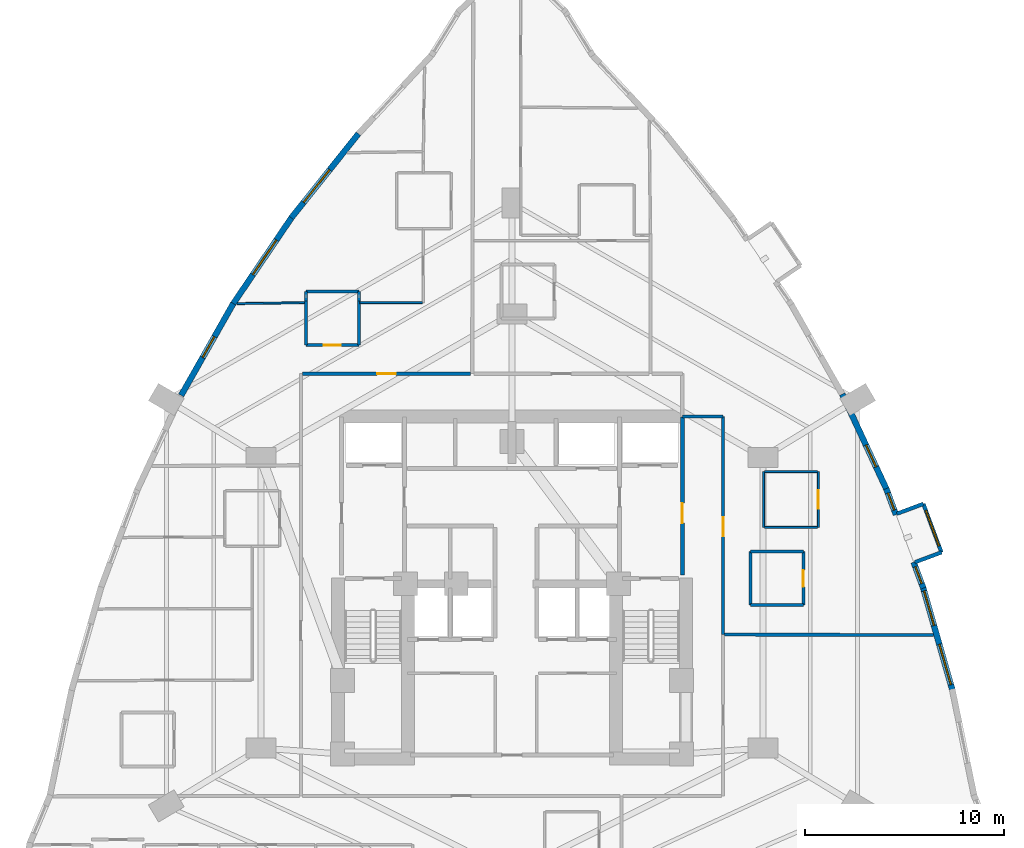
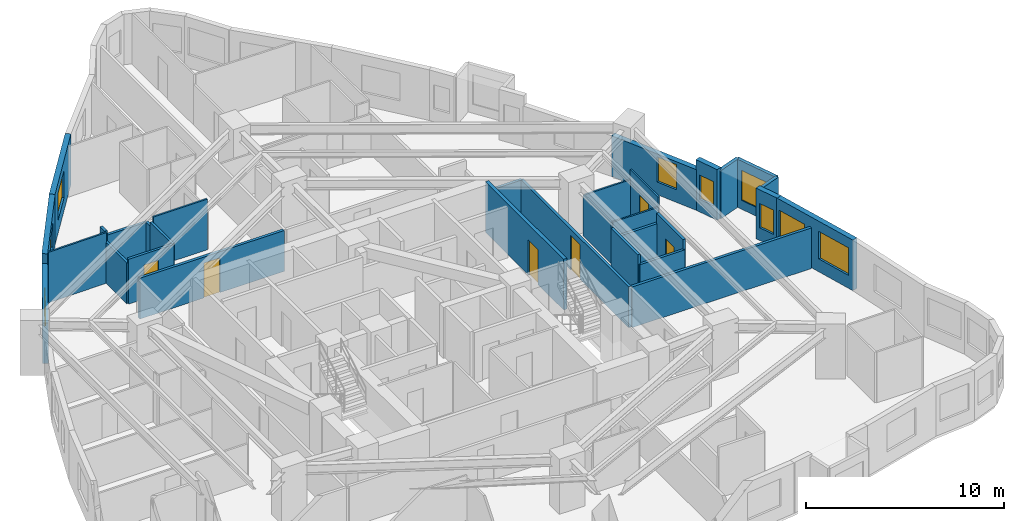
# One storey, part 9 of 12: 31 walls, 9 windows, 6 doors, 15 openings.
"""IFC4 building model written with IfcOpenShell, lengths in metres."""

from ifc_helpers import new_model, si_unit, direction, frame, frame_2d, origin, place, context, subcontext, project, spatial, rectangle, extrude, material, layer, layer_set, type_object, element, fill, save


model = new_model("IFC4")

# Units and contexts
model_context = context("Model", 3, precision=1e-05, world=origin(), true_north=direction((0.0, 1.0)))
body_context = subcontext(model_context, "Body", "Model", "MODEL_VIEW")
ifc_project = project(units=[si_unit("LENGTHUNIT", "METRE"), si_unit("AREAUNIT", "SQUARE_METRE"), si_unit("VOLUMEUNIT", "CUBIC_METRE"), si_unit("PLANEANGLEUNIT", "RADIAN"), si_unit("MASSUNIT", "GRAM", prefix="KILO")], contexts=[model_context])

# Site, building, storey
site_placement = place(None, origin())
site = spatial("IfcSite", under=ifc_project, at=site_placement, CompositionType="ELEMENT")
building_placement = place(site_placement, origin())
building = spatial("IfcBuilding", under=site, at=building_placement, Name="Miruveldt Soraemaru", CompositionType="ELEMENT")
storey_placement = place(building_placement, frame((0.0, 0.0, 56.39990234375)))
storey = spatial("IfcBuildingStorey", under=building, at=storey_placement, Name="L15", CompositionType="ELEMENT", Elevation=56.39990234375)

# Walls
ifc_material_1 = material(Name="White powder-coated aluminium EN AW-6060 T6", Category="aluminium")
ifc_layer_1 = layer(ifc_material_1, 0.18994140625, Name="White powder-coated aluminium EN AW-6060 T6", Category="aluminium")
ifc_layer_set_1 = layer_set([ifc_layer_1], Name="White powder-coated aluminium EN AW-6060 T6")
wall_type_1 = type_object("IfcWallType", Name="WALL-BAY-ALU190", PredefinedType="SOLIDWALL", material=ifc_layer_set_1)
for number, where, z_axis, x_axis, name in (
    (1, (64.22705078125, 45.13037109375, 0.0), (0.0, 0.0, 1.0), (0.937129361406, 0.348982177182, 0.0), "L15 Bay Window Side Cheek 4L"),
    (2, (64.655029296875, 48.064208984375, 0.0), (0.0, 0.0, 1.0), (-0.937073323404, -0.34913262031, 0.0), "L15 Bay Window Side Cheek 4R"),
):
    element("IfcWall", number, at=place(storey_placement, frame(where, z_axis=z_axis, x_axis=x_axis)), inside=storey, type_object=wall_type_1, Name=name, PredefinedType="SOLIDWALL", context=body_context, shape_type="SweptSolid", body=[
        extrude(rectangle(XDim=1.425048828125, YDim=0.18994140625, at=frame_2d((0.71240234375, 0.0))), origin(), (0.0, 0.0, 1.0), 2.97509765625),
    ])

# Wall, opening, window
wall_1_placement = place(storey_placement, frame((65.5625, 45.627685546875, 0.0), z_axis=(0.0, 0.0, 1.0), x_axis=(-0.349023333144, 0.937114034107, 0.0)))
wall_1 = element("IfcWall", 3, at=wall_1_placement, inside=storey, type_object=wall_type_1, Name="L15 Bay Window Front Frame 4", PredefinedType="SOLIDWALL", context=body_context, shape_type="SweptSolid", body=[
    extrude(rectangle(XDim=2.60009765625, YDim=0.18994140625, at=frame_2d((1.300048828125, 0.0))), origin(), (0.0, 0.0, 1.0), 2.97509765625),
])
opening_1_placement = place(wall_1_placement, frame((0.35009765625, 0.0, 0.550048828125)))
opening_1 = element("IfcOpeningElement", 4, at=opening_1_placement, cuts=wall_1, Name="Opening WN-6", PredefinedType="OPENING", context=body_context, shape_type="SweptSolid", body=[
    extrude(rectangle(XDim=1.89990234375, YDim=1.85009765625, at=frame_2d((0.949951171875, 0.925048828125))), frame((0.0, 0.10498046875, 0.0), z_axis=(0.0, -1.0, 0.0), x_axis=(1.0, 0.0, 0.0)), (0.0, 0.0, 1.0), 0.2099609375),
])
ifc_material_2 = material(Name="Triple low-e insulated glazing", Category="glass")
window_type_1 = type_object("IfcWindowType", Name="WIN-BAYW-1900x1850", PartitioningType="SINGLE_PANEL", PredefinedType="WINDOW", material=ifc_material_2)
window_1_placement = place(opening_1_placement, origin())
window_1 = element("IfcWindow", 5, at=window_1_placement, inside=storey, type_object=window_type_1, Name="L15 Projecting Bay Window 4", OverallHeight=1.85009765625, OverallWidth=1.89990234375, PartitioningType="SINGLE_PANEL", PredefinedType="WINDOW", context=body_context, shape_type="SweptSolid", body=[
    extrude(rectangle(XDim=1.89990234375, YDim=1.85009765625, at=frame_2d((0.949951171875, 0.925048828125))), frame((0.0, 0.030029296875, 0.0), z_axis=(0.0, -1.0, 0.0), x_axis=(1.0, 0.0, 0.0)), (0.0, 0.0, 1.0), 0.06005859375),
])
fill(opening_1, window_1)

ifc_material_3 = material(Name="Precast concrete C45/55 (45 MPa)", Category="concrete")
ifc_layer_2 = layer(ifc_material_3, 0.300048828125, Name="Precast concrete C45/55 (45 MPa)", Category="concrete")
ifc_layer_set_2 = layer_set([ifc_layer_2], Name="Precast concrete C45/55 (45 MPa)")
wall_type_2 = type_object("IfcWallType", Name="WALL-EXT-PC300", PredefinedType="SOLIDWALL", material=ifc_layer_set_2)
wall_2_placement = place(storey_placement, frame((36.288330078125, 66.646240234375, 0.0), z_axis=(0.0, 0.0, 1.0), x_axis=(-0.623603139171, -0.781741085537, 0.0)))
wall_2 = element("IfcWall", 6, at=wall_2_placement, inside=storey, type_object=wall_type_2, Name="L15 Precast Concrete Facade Wall 8", PredefinedType="SOLIDWALL", context=body_context, shape_type="SweptSolid", body=[
    extrude(rectangle(XDim=5.40185546875, YDim=0.300048828125, at=frame_2d((2.700927734375, 0.0))), origin(), (0.0, 0.0, 1.0), 3.125),
])
opening_2_placement = place(wall_2_placement, frame((2.31396484375, 0.0, 0.800048828125)))
opening_2 = element("IfcOpeningElement", 7, at=opening_2_placement, cuts=wall_2, Name="Opening WN-1", PredefinedType="OPENING", context=body_context, shape_type="SweptSolid", body=[
    extrude(rectangle(XDim=2.10009765625, YDim=1.699951171875, at=frame_2d((1.050048828125, 0.85009765625))), frame((0.0, 0.16015625, 0.0), z_axis=(0.0, -1.0, 0.0), x_axis=(1.0, 0.0, 0.0)), (0.0, 0.0, 1.0), 0.320068359375),
])
window_type_2 = type_object("IfcWindowType", Name="WIN-PUNCH-2100x1700", PartitioningType="SINGLE_PANEL", PredefinedType="WINDOW", material=ifc_material_2)
window_2_placement = place(opening_2_placement, origin())
window_2 = element("IfcWindow", 8, at=window_2_placement, inside=storey, type_object=window_type_2, Name="L15 Punched Triple-Glazed Window 08.1", OverallHeight=1.699951171875, OverallWidth=2.10009765625, PartitioningType="SINGLE_PANEL", PredefinedType="WINDOW", context=body_context, shape_type="SweptSolid", body=[
    extrude(rectangle(XDim=2.10009765625, YDim=1.699951171875, at=frame_2d((1.050048828125, 0.85009765625))), frame((0.0, 0.030029296875, 0.0), z_axis=(0.0, -1.0, 0.0), x_axis=(1.0, 0.0, 0.0)), (0.0, 0.0, 1.0), 0.06005859375),
])
fill(opening_2, window_2)

wall_3_placement = place(storey_placement, frame((32.961181640625, 62.479736328125, 0.0), z_axis=(0.0, 0.0, 1.0), x_axis=(-0.56081981717, -0.827937879717, 0.0)))
wall_3 = element("IfcWall", 9, at=wall_3_placement, inside=storey, type_object=wall_type_2, Name="L15 Precast Concrete Facade Wall 9", PredefinedType="SOLIDWALL", context=body_context, shape_type="SweptSolid", body=[
    extrude(rectangle(XDim=5.3359375, YDim=0.300048828125, at=frame_2d((2.66796875, 0.0))), origin(), (0.0, 0.0, 1.0), 3.125),
])
opening_3_placement = place(wall_3_placement, frame((1.408935546875, 0.0, 0.800048828125)))
opening_3 = element("IfcOpeningElement", 10, at=opening_3_placement, cuts=wall_3, Name="Opening WN-1", PredefinedType="OPENING", context=body_context, shape_type="SweptSolid", body=[
    extrude(rectangle(XDim=2.10009765625, YDim=1.699951171875, at=frame_2d((1.050048828125, 0.85009765625))), frame((0.0, 0.16015625, 0.0), z_axis=(0.0, -1.0, 0.0), x_axis=(1.0, 0.0, 0.0)), (0.0, 0.0, 1.0), 0.320068359375),
])
window_3_placement = place(opening_3_placement, origin())
window_3 = element("IfcWindow", 11, at=window_3_placement, inside=storey, type_object=window_type_2, Name="L15 Punched Triple-Glazed Window 09.1", OverallHeight=1.699951171875, OverallWidth=2.10009765625, PartitioningType="SINGLE_PANEL", PredefinedType="WINDOW", context=body_context, shape_type="SweptSolid", body=[
    extrude(rectangle(XDim=2.10009765625, YDim=1.699951171875, at=frame_2d((1.050048828125, 0.85009765625))), frame((0.0, 0.030029296875, 0.0), z_axis=(0.0, -1.0, 0.0), x_axis=(1.0, 0.0, 0.0)), (0.0, 0.0, 1.0), 0.06005859375),
])
fill(opening_3, window_3)

wall_4_placement = place(storey_placement, frame((30.005615234375, 58.121337890625, 0.0), z_axis=(0.0, 0.0, 1.0), x_axis=(-0.493399379413, -0.869802881344, 0.0)))
wall_4 = element("IfcWall", 12, at=wall_4_placement, inside=storey, type_object=wall_type_2, Name="L15 Precast Concrete Facade Wall 10", PredefinedType="SOLIDWALL", context=body_context, shape_type="SweptSolid", body=[
    extrude(rectangle(XDim=5.302490234375, YDim=0.300048828125, at=frame_2d((2.6513671875, 0.0))), origin(), (0.0, 0.0, 1.0), 2.51318359375),
])
opening_4_placement = place(wall_4_placement, frame((1.9130859375, 0.0, 0.780029296875)))
opening_4 = element("IfcOpeningElement", 13, at=opening_4_placement, cuts=wall_4, Name="Opening WN-4", PredefinedType="OPENING", context=body_context, shape_type="SweptSolid", body=[
    extrude(rectangle(XDim=1.199951171875, YDim=1.550048828125, at=frame_2d((0.60009765625, 0.77490234375))), frame((0.0, 0.16015625, 0.0), z_axis=(0.0, -1.0, 0.0), x_axis=(1.0, 0.0, 0.0)), (0.0, 0.0, 1.0), 0.320068359375),
])
window_type_3 = type_object("IfcWindowType", Name="WIN-PUNCH-1200x1550", PartitioningType="SINGLE_PANEL", PredefinedType="WINDOW", material=ifc_material_2)
window_4_placement = place(opening_4_placement, origin())
window_4 = element("IfcWindow", 14, at=window_4_placement, inside=storey, type_object=window_type_3, Name="L15 Punched Triple-Glazed Window 10.1", OverallHeight=1.550048828125, OverallWidth=1.199951171875, PartitioningType="SINGLE_PANEL", PredefinedType="WINDOW", context=body_context, shape_type="SweptSolid", body=[
    extrude(rectangle(XDim=1.199951171875, YDim=1.550048828125, at=frame_2d((0.60009765625, 0.77490234375))), frame((0.0, 0.030029296875, 0.0), z_axis=(0.0, -1.0, 0.0), x_axis=(1.0, 0.0, 0.0)), (0.0, 0.0, 1.0), 0.06005859375),
])
fill(opening_4, window_4)

# Wall, openings, windows
wall_5_placement = place(storey_placement, frame((66.116455078125, 38.701904296875, 0.0), z_axis=(0.0, 0.0, 1.0), x_axis=(-0.274959879821, 0.961455700742, 0.0)))
wall_5 = element("IfcWall", 15, at=wall_5_placement, inside=storey, type_object=wall_type_2, Name="L15 Precast Concrete Facade Wall 36", PredefinedType="SOLIDWALL", context=body_context, shape_type="SweptSolid", body=[
    extrude(rectangle(XDim=5.402099609375, YDim=0.300048828125, at=frame_2d((2.701171875, 0.0))), origin(), (0.0, 0.0, 1.0), 3.125),
])
opening_5_placement = place(wall_5_placement, frame((0.297119140625, 0.0, 0.800048828125)))
opening_5 = element("IfcOpeningElement", 16, at=opening_5_placement, cuts=wall_5, Name="Opening WN-1", PredefinedType="OPENING", context=body_context, shape_type="SweptSolid", body=[
    extrude(rectangle(XDim=2.10009765625, YDim=1.699951171875, at=frame_2d((1.050048828125, 0.85009765625))), frame((0.0, 0.16015625, 0.0), z_axis=(0.0, -1.0, 0.0), x_axis=(1.0, 0.0, 0.0)), (0.0, 0.0, 1.0), 0.320068359375),
])
opening_6_placement = place(wall_5_placement, frame((3.387939453125, 0.0, 0.800048828125)))
opening_6 = element("IfcOpeningElement", 17, at=opening_6_placement, cuts=wall_5, Name="Opening WN-2", PredefinedType="OPENING", context=body_context, shape_type="SweptSolid", body=[
    extrude(rectangle(XDim=1.800048828125, YDim=1.64990234375, at=frame_2d((0.89990234375, 0.824951171875))), frame((0.0, 0.16015625, 0.0), z_axis=(0.0, -1.0, 0.0), x_axis=(1.0, 0.0, 0.0)), (0.0, 0.0, 1.0), 0.320068359375),
])
window_type_4 = type_object("IfcWindowType", Name="WIN-PUNCH-1800x1650", PartitioningType="SINGLE_PANEL", PredefinedType="WINDOW", material=ifc_material_2)
window_5_placement = place(opening_6_placement, origin())
window_5 = element("IfcWindow", 18, at=window_5_placement, inside=storey, type_object=window_type_4, Name="L15 Punched Triple-Glazed Window 36.2", OverallHeight=1.64990234375, OverallWidth=1.800048828125, PartitioningType="SINGLE_PANEL", PredefinedType="WINDOW", context=body_context, shape_type="SweptSolid", body=[
    extrude(rectangle(XDim=1.800048828125, YDim=1.64990234375, at=frame_2d((0.89990234375, 0.824951171875))), frame((0.0, 0.030029296875, 0.0), z_axis=(0.0, -1.0, 0.0), x_axis=(1.0, 0.0, 0.0)), (0.0, 0.0, 1.0), 0.06005859375),
])
fill(opening_6, window_5)
window_6_placement = place(opening_5_placement, origin())
window_6 = element("IfcWindow", 19, at=window_6_placement, inside=storey, type_object=window_type_2, Name="L15 Punched Triple-Glazed Window 36.1", OverallHeight=1.699951171875, OverallWidth=2.10009765625, PartitioningType="SINGLE_PANEL", PredefinedType="WINDOW", context=body_context, shape_type="SweptSolid", body=[
    extrude(rectangle(XDim=2.10009765625, YDim=1.699951171875, at=frame_2d((1.050048828125, 0.85009765625))), frame((0.0, 0.030029296875, 0.0), z_axis=(0.0, -1.0, 0.0), x_axis=(1.0, 0.0, 0.0)), (0.0, 0.0, 1.0), 0.06005859375),
])
fill(opening_5, window_6)

# Wall, opening, window
wall_6_placement = place(storey_placement, frame((64.653076171875, 43.8291015625, 0.0), z_axis=(0.0, 0.0, 1.0), x_axis=(-0.349093988776, 0.937087715745, 0.0)))
wall_6 = element("IfcWall", 20, at=wall_6_placement, inside=storey, type_object=wall_type_2, Name="L15 Precast Pier Wall 37A", PredefinedType="SOLIDWALL", context=body_context, shape_type="SweptSolid", body=[
    extrude(rectangle(XDim=1.39794921875, YDim=0.300048828125, at=frame_2d((0.698974609375, 0.0))), origin(), (0.0, 0.0, 1.0), 3.125),
])
opening_7_placement = place(wall_6_placement, frame((0.2490234375, 0.0, 0.780029296875)))
opening_7 = element("IfcOpeningElement", 21, at=opening_7_placement, cuts=wall_6, Name="Opening WN-7", PredefinedType="OPENING", context=body_context, shape_type="SweptSolid", body=[
    extrude(rectangle(XDim=0.89990234375, YDim=1.5, at=frame_2d((0.449951171875, 0.75))), frame((0.0, 0.16015625, 0.0), z_axis=(0.0, -1.0, 0.0), x_axis=(1.0, 0.0, 0.0)), (0.0, 0.0, 1.0), 0.320068359375),
])
window_type_5 = type_object("IfcWindowType", Name="WIN-PUNCH-900x1500", PartitioningType="SINGLE_PANEL", PredefinedType="WINDOW", material=ifc_material_2)
window_7_placement = place(opening_7_placement, origin())
window_7 = element("IfcWindow", 22, at=window_7_placement, inside=storey, type_object=window_type_5, Name="L15 Punched Triple-Glazed Window 37A.1", OverallHeight=1.5, OverallWidth=0.89990234375, PartitioningType="SINGLE_PANEL", PredefinedType="WINDOW", context=body_context, shape_type="SweptSolid", body=[
    extrude(rectangle(XDim=0.89990234375, YDim=1.5, at=frame_2d((0.449951171875, 0.75))), frame((0.0, 0.030029296875, 0.0), z_axis=(0.0, -1.0, 0.0), x_axis=(1.0, 0.0, 0.0)), (0.0, 0.0, 1.0), 0.06005859375),
])
fill(opening_7, window_7)

wall_7_placement = place(storey_placement, frame((63.278564453125, 47.519287109375, 0.0), z_axis=(0.0, 0.0, 1.0), x_axis=(-0.348940622534, 0.937144835095, 0.0)))
wall_7 = element("IfcWall", 23, at=wall_7_placement, inside=storey, type_object=wall_type_2, Name="L15 Precast Pier Wall 37B", PredefinedType="SOLIDWALL", context=body_context, shape_type="SweptSolid", body=[
    extrude(rectangle(XDim=1.39794921875, YDim=0.300048828125, at=frame_2d((0.698974609375, 0.0))), origin(), (0.0, 0.0, 1.0), 3.125),
])
opening_8_placement = place(wall_7_placement, frame((0.2490234375, 0.0, 0.780029296875)))
opening_8 = element("IfcOpeningElement", 24, at=opening_8_placement, cuts=wall_7, Name="Opening WN-7", PredefinedType="OPENING", context=body_context, shape_type="SweptSolid", body=[
    extrude(rectangle(XDim=0.89990234375, YDim=1.5, at=frame_2d((0.449951171875, 0.75))), frame((0.0, 0.16015625, 0.0), z_axis=(0.0, -1.0, 0.0), x_axis=(1.0, 0.0, 0.0)), (0.0, 0.0, 1.0), 0.320068359375),
])
window_8_placement = place(opening_8_placement, origin())
window_8 = element("IfcWindow", 25, at=window_8_placement, inside=storey, type_object=window_type_5, Name="L15 Punched Triple-Glazed Window 37B.1", OverallHeight=1.5, OverallWidth=0.89990234375, PartitioningType="SINGLE_PANEL", PredefinedType="WINDOW", context=body_context, shape_type="SweptSolid", body=[
    extrude(rectangle(XDim=0.89990234375, YDim=1.5, at=frame_2d((0.449951171875, 0.75))), frame((0.0, 0.030029296875, 0.0), z_axis=(0.0, -1.0, 0.0), x_axis=(1.0, 0.0, 0.0)), (0.0, 0.0, 1.0), 0.06005859375),
])
fill(opening_8, window_8)

wall_8_placement = place(storey_placement, frame((62.817626953125, 48.764892578125, 0.0), z_axis=(0.0, 0.0, 1.0), x_axis=(-0.422308159228, 0.906452325635, 0.0)))
wall_8 = element("IfcWall", 26, at=wall_8_placement, inside=storey, type_object=wall_type_2, Name="L15 Precast Concrete Facade Wall 38", PredefinedType="SOLIDWALL", context=body_context, shape_type="SweptSolid", body=[
    extrude(rectangle(XDim=5.302490234375, YDim=0.300048828125, at=frame_2d((2.6513671875, 0.0))), origin(), (0.0, 0.0, 1.0), 2.51318359375),
])
opening_9_placement = place(wall_8_placement, frame((1.279052734375, 0.0, 0.780029296875)))
opening_9 = element("IfcOpeningElement", 27, at=opening_9_placement, cuts=wall_8, Name="Opening WN-4", PredefinedType="OPENING", context=body_context, shape_type="SweptSolid", body=[
    extrude(rectangle(XDim=1.199951171875, YDim=1.550048828125, at=frame_2d((0.60009765625, 0.77490234375))), frame((0.0, 0.16015625, 0.0), z_axis=(0.0, -1.0, 0.0), x_axis=(1.0, 0.0, 0.0)), (0.0, 0.0, 1.0), 0.320068359375),
])
window_9_placement = place(opening_9_placement, origin())
window_9 = element("IfcWindow", 28, at=window_9_placement, inside=storey, type_object=window_type_3, Name="L15 Punched Triple-Glazed Window 38.1", OverallHeight=1.550048828125, OverallWidth=1.199951171875, PartitioningType="SINGLE_PANEL", PredefinedType="WINDOW", context=body_context, shape_type="SweptSolid", body=[
    extrude(rectangle(XDim=1.199951171875, YDim=1.550048828125, at=frame_2d((0.60009765625, 0.77490234375))), frame((0.0, 0.030029296875, 0.0), z_axis=(0.0, -1.0, 0.0), x_axis=(1.0, 0.0, 0.0)), (0.0, 0.0, 1.0), 0.06005859375),
])
fill(opening_9, window_9)

# Wall, opening, door
ifc_material_4 = material(Name="Gypsum plasterboard lining", Category="gypsum")
ifc_layer_3 = layer(ifc_material_4, 0.10009765625, Name="Gypsum plasterboard lining", Category="gypsum")
ifc_layer_set_3 = layer_set([ifc_layer_3], Name="Gypsum plasterboard lining")
wall_type_3 = type_object("IfcWallType", Name="WALL-INT-P100", PredefinedType="PARTITIONING", material=ifc_layer_set_3)
wall_9_placement = place(storey_placement, frame((59.3798828125, 46.8798828125, 0.0), z_axis=(0.0, 0.0, 1.0), x_axis=(0.0, 1.0, 0.0)))
wall_9 = element("IfcWall", 29, at=wall_9_placement, inside=storey, type_object=wall_type_3, Name="L15 Partition Wall 66", PredefinedType="PARTITIONING", context=body_context, shape_type="SweptSolid", body=[
    extrude(rectangle(XDim=2.800048828125, YDim=0.10009765625, at=frame_2d((1.39990234375, 0.0))), origin(), (0.0, 0.0, 1.0), 3.125),
])
opening_10_placement = place(wall_9_placement, frame((0.93994140625, 0.0, 0.0)))
opening_10 = element("IfcOpeningElement", 30, at=opening_10_placement, cuts=wall_9, Name="Opening D3A", PredefinedType="OPENING", context=body_context, shape_type="SweptSolid", body=[
    extrude(rectangle(XDim=0.919921875, YDim=2.10009765625, at=frame_2d((0.4599609375, 1.050048828125))), frame((0.0, 0.06005859375, 0.0), z_axis=(0.0, -1.0, 0.0), x_axis=(1.0, 0.0, 0.0)), (0.0, 0.0, 1.0), 0.1201171875),
])
ifc_material_5 = material(Name="Anodised aluminium EN AW-6063 T6", Category="aluminium")
door_type_1 = type_object("IfcDoorType", Name="DOOR-INT-920", OperationType="NOTDEFINED", PredefinedType="DOOR", material=ifc_material_5)
door_1_placement = place(opening_10_placement, origin())
door_1 = element("IfcDoor", 31, at=door_1_placement, inside=storey, type_object=door_type_1, Name="L15 Unit CL05 KIT Door", OperationType="SINGLE_SWING_RIGHT", OverallHeight=2.10009765625, OverallWidth=0.919921875, PredefinedType="DOOR", context=body_context, shape_type="SweptSolid", body=[
    extrude(rectangle(XDim=0.919921875, YDim=2.10009765625, at=frame_2d((0.4599609375, 1.050048828125))), frame((0.0, 0.02490234375, 0.0), z_axis=(0.0, -1.0, 0.0), x_axis=(1.0, 0.0, 0.0)), (0.0, 0.0, 1.0), 0.050048828125),
])
fill(opening_10, door_1)

# Walls
wall_10_placement = place(storey_placement, frame((33.611083984375, 58.1640625, 0.0), z_axis=(0.0, 0.0, 1.0), x_axis=(-0.999904322105, -0.013832810133, 0.0)))
element("IfcWall", 32, at=wall_10_placement, inside=storey, type_object=wall_type_3, Name="L15 Partition Wall 21", PredefinedType="PARTITIONING", context=body_context, shape_type="SweptSolid", body=[
    extrude(rectangle(XDim=3.40625, YDim=0.10009765625, at=frame_2d((1.703125, 0.0))), origin(), (0.0, 0.0, 1.0), 3.125),
])
wall_11_placement = place(storey_placement, frame((39.5, 58.1650390625, 0.0), z_axis=(0.0, 0.0, 1.0), x_axis=(-1.0, 0.0, 0.0)))
element("IfcWall", 33, at=wall_11_placement, inside=storey, type_object=wall_type_3, Name="L15 Partition Wall 20", PredefinedType="PARTITIONING", context=body_context, shape_type="SweptSolid", body=[
    extrude(rectangle(XDim=3.138916015625, YDim=0.10009765625, at=frame_2d((1.5693359375, 0.0))), origin(), (0.0, 0.0, 1.0), 3.125),
])
wall_12_placement = place(storey_placement, frame((56.6298828125, 49.679931640625, 0.0), z_axis=(0.0, 0.0, 1.0), x_axis=(0.0, -1.0, 0.0)))
element("IfcWall", 34, at=wall_12_placement, inside=storey, type_object=wall_type_3, Name="L15 Partition Wall 68", PredefinedType="PARTITIONING", context=body_context, shape_type="SweptSolid", body=[
    extrude(rectangle(XDim=2.800048828125, YDim=0.10009765625, at=frame_2d((1.39990234375, 0.0))), origin(), (0.0, 0.0, 1.0), 2.525146484375),
])
for number, where, z_axis, x_axis, name in (
    (35, (59.330078125, 49.679931640625, 0.0), (0.0, 0.0, 1.0), (-1.0, 0.0, 0.0), "L15 Partition Wall 67"),
    (36, (56.679931640625, 46.8798828125, 0.0), (0.0, 0.0, 1.0), (1.0, 0.0, 0.0), "L15 Partition Wall 69"),
):
    element("IfcWall", number, at=place(storey_placement, frame(where, z_axis=z_axis, x_axis=x_axis)), inside=storey, type_object=wall_type_3, Name=name, PredefinedType="PARTITIONING", context=body_context, shape_type="SweptSolid", body=[
        extrude(rectangle(XDim=2.650146484375, YDim=0.10009765625, at=frame_2d((1.3251953125, 0.0))), origin(), (0.0, 0.0, 1.0), 2.525146484375),
    ])

# Wall, opening, door
ifc_layer_4 = layer(ifc_material_4, 0.14990234375, Name="Gypsum plasterboard lining", Category="gypsum")
ifc_layer_set_4 = layer_set([ifc_layer_4], Name="Gypsum plasterboard lining")
wall_type_4 = type_object("IfcWallType", Name="WALL-INT-PLUMB", PredefinedType="PLUMBINGWALL", material=ifc_layer_set_4)
wall_13_placement = place(storey_placement, frame((58.6298828125, 42.97998046875, 0.0), z_axis=(0.0, 0.0, 1.0), x_axis=(0.0, 1.0, 0.0)))
wall_13 = element("IfcWall", 37, at=wall_13_placement, inside=storey, type_object=wall_type_4, Name="L15 Partition Wall 62", PredefinedType="PLUMBINGWALL", context=body_context, shape_type="SweptSolid", body=[
    extrude(rectangle(XDim=2.699951171875, YDim=0.14990234375, at=frame_2d((1.35009765625, 0.0))), origin(), (0.0, 0.0, 1.0), 3.125),
])
opening_11_placement = place(wall_13_placement, frame((0.909912109375, 0.0, 0.0)))
opening_11 = element("IfcOpeningElement", 38, at=opening_11_placement, cuts=wall_13, Name="Opening FD3", PredefinedType="OPENING", context=body_context, shape_type="SweptSolid", body=[
    extrude(rectangle(XDim=0.85009765625, YDim=2.10009765625, at=frame_2d((0.425048828125, 1.050048828125))), frame((0.0, 0.0849609375, 0.0), z_axis=(0.0, -1.0, 0.0), x_axis=(1.0, 0.0, 0.0)), (0.0, 0.0, 1.0), 0.169921875),
])
door_type_2 = type_object("IfcDoorType", Name="DOOR-FD3-850", OperationType="NOTDEFINED", PredefinedType="DOOR", material=ifc_material_5)
door_2_placement = place(opening_11_placement, origin())
door_2 = element("IfcDoor", 39, at=door_2_placement, inside=storey, type_object=door_type_2, Name="L15 Unit CL05 BTH Door", OperationType="SINGLE_SWING_LEFT", OverallHeight=2.10009765625, OverallWidth=0.85009765625, PredefinedType="DOOR", context=body_context, shape_type="SweptSolid", body=[
    extrude(rectangle(XDim=0.85009765625, YDim=2.10009765625, at=frame_2d((0.425048828125, 1.050048828125))), frame((0.0, 0.02490234375, 0.0), z_axis=(0.0, -1.0, 0.0), x_axis=(1.0, 0.0, 0.0)), (0.0, 0.0, 1.0), 0.050048828125),
])
fill(opening_11, door_2)

wall_14_placement = place(storey_placement, frame((33.660888671875, 56.030029296875, 0.0), z_axis=(0.0, 0.0, 1.0), x_axis=(1.0, 0.0, 0.0)))
wall_14 = element("IfcWall", 40, at=wall_14_placement, inside=storey, type_object=wall_type_4, Name="L15 Partition Wall 14", PredefinedType="PLUMBINGWALL", context=body_context, shape_type="SweptSolid", body=[
    extrude(rectangle(XDim=2.650146484375, YDim=0.14990234375, at=frame_2d((1.3251953125, 0.0))), origin(), (0.0, 0.0, 1.0), 2.76318359375),
])
opening_12_placement = place(wall_14_placement, frame((0.885009765625, 0.0, 0.0)))
opening_12 = element("IfcOpeningElement", 41, at=opening_12_placement, cuts=wall_14, Name="Opening FD3", PredefinedType="OPENING", context=body_context, shape_type="SweptSolid", body=[
    extrude(rectangle(XDim=0.85009765625, YDim=2.10009765625, at=frame_2d((0.425048828125, 1.050048828125))), frame((0.0, 0.0849609375, 0.0), z_axis=(0.0, -1.0, 0.0), x_axis=(1.0, 0.0, 0.0)), (0.0, 0.0, 1.0), 0.169921875),
])
door_3_placement = place(opening_12_placement, origin())
door_3 = element("IfcDoor", 42, at=door_3_placement, inside=storey, type_object=door_type_2, Name="L15 Unit 1501 BTH Door", OperationType="SINGLE_SWING_RIGHT", OverallHeight=2.10009765625, OverallWidth=0.85009765625, PredefinedType="DOOR", context=body_context, shape_type="SweptSolid", body=[
    extrude(rectangle(XDim=0.85009765625, YDim=2.10009765625, at=frame_2d((0.425048828125, 1.050048828125))), frame((0.0, 0.02490234375, 0.0), z_axis=(0.0, -1.0, 0.0), x_axis=(1.0, 0.0, 0.0)), (0.0, 0.0, 1.0), 0.050048828125),
])
fill(opening_12, door_3)

# Walls
wall_15_placement = place(storey_placement, frame((55.97998046875, 45.679931640625, 0.0), z_axis=(0.0, 0.0, 1.0), x_axis=(0.0, -1.0, 0.0)))
element("IfcWall", 43, at=wall_15_placement, inside=storey, type_object=wall_type_4, Name="L15 Partition Wall 64", PredefinedType="PLUMBINGWALL", context=body_context, shape_type="SweptSolid", body=[
    extrude(rectangle(XDim=2.699951171875, YDim=0.14990234375, at=frame_2d((1.35009765625, 0.0))), origin(), (0.0, 0.0, 1.0), 3.125),
])
for number, where, z_axis, x_axis, name in (
    (44, (58.6298828125, 45.679931640625, 0.0), (0.0, 0.0, 1.0), (-1.0, 0.0, 0.0), "L15 Partition Wall 63"),
    (45, (55.97998046875, 42.97998046875, 0.0), (0.0, 0.0, 1.0), (1.0, 0.0, 0.0), "L15 Partition Wall 65"),
):
    element("IfcWall", number, at=place(storey_placement, frame(where, z_axis=z_axis, x_axis=x_axis)), inside=storey, type_object=wall_type_4, Name=name, PredefinedType="PLUMBINGWALL", context=body_context, shape_type="SweptSolid", body=[
        extrude(rectangle(XDim=2.64990234375, YDim=0.14990234375, at=frame_2d((1.324951171875, 0.0))), origin(), (0.0, 0.0, 1.0), 2.525146484375),
    ])
wall_16_placement = place(storey_placement, frame((36.31103515625, 58.72998046875, 0.0), z_axis=(0.0, 0.0, 1.0), x_axis=(-1.0, 0.0, 0.0)))
element("IfcWall", 46, at=wall_16_placement, inside=storey, type_object=wall_type_4, Name="L15 Partition Wall 26", PredefinedType="PLUMBINGWALL", context=body_context, shape_type="SweptSolid", body=[
    extrude(rectangle(XDim=2.650146484375, YDim=0.14990234375, at=frame_2d((1.3251953125, 0.0))), origin(), (0.0, 0.0, 1.0), 2.51318359375),
])
wall_17_placement = place(storey_placement, frame((36.31103515625, 56.030029296875, 0.0), z_axis=(0.0, 0.0, 1.0), x_axis=(0.0, 1.0, 0.0)))
element("IfcWall", 47, at=wall_17_placement, inside=storey, type_object=wall_type_4, Name="L15 Partition Wall 12", PredefinedType="PLUMBINGWALL", context=body_context, shape_type="SweptSolid", body=[
    extrude(rectangle(XDim=2.224853515625, YDim=0.14990234375, at=frame_2d((1.1123046875, 0.0))), origin(), (0.0, 0.0, 1.0), 2.76318359375),
])
wall_18_placement = place(storey_placement, frame((33.660888671875, 58.2548828125, 0.0), z_axis=(0.0, 0.0, 1.0), x_axis=(0.0, -1.0, 0.0)))
element("IfcWall", 48, at=wall_18_placement, inside=storey, type_object=wall_type_4, Name="L15 Partition Wall 13", PredefinedType="PLUMBINGWALL", context=body_context, shape_type="SweptSolid", body=[
    extrude(rectangle(XDim=2.224853515625, YDim=0.14990234375, at=frame_2d((1.1123046875, 0.0))), origin(), (0.0, 0.0, 1.0), 2.51318359375),
])
wall_19_placement = place(storey_placement, frame((36.31103515625, 58.2548828125, 0.0), z_axis=(0.0, 0.0, 1.0), x_axis=(0.0, 1.0, 0.0)))
element("IfcWall", 49, at=wall_19_placement, inside=storey, type_object=wall_type_4, Name="L15 Partition Wall 25", PredefinedType="PLUMBINGWALL", context=body_context, shape_type="SweptSolid", body=[
    extrude(rectangle(XDim=0.47509765625, YDim=0.14990234375, at=frame_2d((0.237548828125, 0.0))), origin(), (0.0, 0.0, 1.0), 2.51318359375),
])
wall_20_placement = place(storey_placement, frame((33.660888671875, 58.72998046875, 0.0), z_axis=(0.0, 0.0, 1.0), x_axis=(0.0, -1.0, 0.0)))
element("IfcWall", 50, at=wall_20_placement, inside=storey, type_object=wall_type_4, Name="L15 Partition Wall 27", PredefinedType="PLUMBINGWALL", context=body_context, shape_type="SweptSolid", body=[
    extrude(rectangle(XDim=0.47509765625, YDim=0.14990234375, at=frame_2d((0.237548828125, 0.0))), origin(), (0.0, 0.0, 1.0), 3.125),
])

# Wall, opening, door
ifc_material_6 = material(Name="Concrete C40/50 (40 MPa)", Category="concrete")
ifc_layer_5 = layer(ifc_material_6, 0.159912109375, Name="Concrete C40/50 (40 MPa)", Category="concrete")
ifc_layer_set_5 = layer_set([ifc_layer_5], Name="Concrete C40/50 (40 MPa)")
wall_type_5 = type_object("IfcWallType", Name="WALL-INT-RC160", PredefinedType="SOLIDWALL", material=ifc_layer_set_5)
wall_21_placement = place(storey_placement, frame((54.60009765625, 41.506103515625, 0.0), z_axis=(0.0, 0.0, 1.0), x_axis=(0.0, 1.0, 0.0)))
wall_21 = element("IfcWall", 51, at=wall_21_placement, inside=storey, type_object=wall_type_5, Name="L15 Partition Wall 5", PredefinedType="SOLIDWALL", context=body_context, shape_type="SweptSolid", body=[
    extrude(rectangle(XDim=10.94384765625, YDim=0.159912109375, at=frame_2d((5.471923828125, 0.0))), origin(), (0.0, 0.0, 1.0), 2.525146484375),
])
opening_13_placement = place(wall_21_placement, frame((4.93505859375, 0.0, 0.0)))
opening_13 = element("IfcOpeningElement", 52, at=opening_13_placement, cuts=wall_21, Name="Opening FD2", PredefinedType="OPENING", context=body_context, shape_type="SweptSolid", body=[
    extrude(rectangle(XDim=0.949951171875, YDim=2.14990234375, at=frame_2d((0.47509765625, 1.074951171875))), frame((0.0, 0.08984375, 0.0), z_axis=(0.0, -1.0, 0.0), x_axis=(1.0, 0.0, 0.0)), (0.0, 0.0, 1.0), 0.179931640625),
])
door_type_3 = type_object("IfcDoorType", Name="DOOR-FD2-950", OperationType="NOTDEFINED", PredefinedType="DOOR", material=ifc_material_5)
door_4_placement = place(opening_13_placement, origin())
door_4 = element("IfcDoor", 53, at=door_4_placement, inside=storey, type_object=door_type_3, Name="L15 Unit CL05 Entrance Fire Door", OperationType="SINGLE_SWING_RIGHT", OverallHeight=2.14990234375, OverallWidth=0.949951171875, PredefinedType="DOOR", context=body_context, shape_type="SweptSolid", body=[
    extrude(rectangle(XDim=0.949951171875, YDim=2.14990234375, at=frame_2d((0.47509765625, 1.074951171875))), frame((0.0, 0.02490234375, 0.0), z_axis=(0.0, -1.0, 0.0), x_axis=(1.0, 0.0, 0.0)), (0.0, 0.0, 1.0), 0.050048828125),
])
fill(opening_13, door_4)

wall_22_placement = place(storey_placement, frame((41.919921875, 54.60009765625, 0.0), z_axis=(0.0, 0.0, 1.0), x_axis=(-1.0, 0.0, 0.0)))
wall_22 = element("IfcWall", 54, at=wall_22_placement, inside=storey, type_object=wall_type_5, Name="L15 Partition Wall 1", PredefinedType="SOLIDWALL", context=body_context, shape_type="SweptSolid", body=[
    extrude(rectangle(XDim=8.43994140625, YDim=0.159912109375, at=frame_2d((4.219970703125, 0.0))), origin(), (0.0, 0.0, 1.0), 2.525146484375),
])
opening_14_placement = place(wall_22_placement, frame((3.7451171875, 0.0, 0.0)))
opening_14 = element("IfcOpeningElement", 55, at=opening_14_placement, cuts=wall_22, Name="Opening FD2", PredefinedType="OPENING", context=body_context, shape_type="SweptSolid", body=[
    extrude(rectangle(XDim=0.949951171875, YDim=2.14990234375, at=frame_2d((0.47509765625, 1.074951171875))), frame((0.0, 0.08984375, 0.0), z_axis=(0.0, -1.0, 0.0), x_axis=(1.0, 0.0, 0.0)), (0.0, 0.0, 1.0), 0.179931640625),
])
door_5_placement = place(opening_14_placement, origin())
door_5 = element("IfcDoor", 56, at=door_5_placement, inside=storey, type_object=door_type_3, Name="L15 Unit 1501 Entrance Fire Door", OperationType="SINGLE_SWING_LEFT", OverallHeight=2.14990234375, OverallWidth=0.949951171875, PredefinedType="DOOR", context=body_context, shape_type="SweptSolid", body=[
    extrude(rectangle(XDim=0.949951171875, YDim=2.14990234375, at=frame_2d((0.47509765625, 1.074951171875))), frame((0.0, 0.02490234375, 0.0), z_axis=(0.0, -1.0, 0.0), x_axis=(1.0, 0.0, 0.0)), (0.0, 0.0, 1.0), 0.050048828125),
])
fill(opening_14, door_5)

# Walls
wall_23_placement = place(storey_placement, frame((54.679931640625, 41.5, 0.0), z_axis=(0.0, 0.0, 1.0), x_axis=(0.999997598225, -0.002191698903, 0.0)))
element("IfcWall", 57, at=wall_23_placement, inside=storey, type_object=wall_type_5, Name="L15 Partition Wall 70", PredefinedType="SOLIDWALL", context=body_context, shape_type="SweptSolid", body=[
    extrude(rectangle(XDim=10.470947265625, YDim=0.159912109375, at=frame_2d((5.2353515625, 0.0))), origin(), (0.0, 0.0, 1.0), 2.51318359375),
])
wall_24_placement = place(storey_placement, frame((54.60009765625, 52.449951171875, 0.0), z_axis=(0.0, 0.0, 1.0), x_axis=(-1.0, 0.0, 0.0)))
element("IfcWall", 58, at=wall_24_placement, inside=storey, type_object=wall_type_5, Name="L15 Partition Wall 6", PredefinedType="SOLIDWALL", context=body_context, shape_type="SweptSolid", body=[
    extrude(rectangle(XDim=2.050048828125, YDim=0.159912109375, at=frame_2d((1.02490234375, 0.0))), origin(), (0.0, 0.0, 1.0), 2.525146484375),
])

# Wall, opening, door
ifc_layer_6 = layer(ifc_material_6, 0.199951171875, Name="Concrete C40/50 (40 MPa)", Category="concrete")
ifc_layer_set_6 = layer_set([ifc_layer_6], Name="Concrete C40/50 (40 MPa)")
wall_type_6 = type_object("IfcWallType", Name="WALL-INT-RC200", PredefinedType="SOLIDWALL", material=ifc_layer_set_6)
wall_25_placement = place(storey_placement, frame((52.550048828125, 44.5, 0.0), z_axis=(0.0, 0.0, 1.0), x_axis=(0.0, 1.0, 0.0)))
wall_25 = element("IfcWall", 59, at=wall_25_placement, inside=storey, type_object=wall_type_6, Name="L15 Core Compartment Wall FFE-OUT", PredefinedType="SOLIDWALL", context=body_context, shape_type="SweptSolid", body=[
    extrude(rectangle(XDim=7.919921875, YDim=0.199951171875, at=frame_2d((3.9599609375, 0.0))), origin(), (0.0, 0.0, 1.0), 3.125),
])
opening_15_placement = place(wall_25_placement, frame((2.60009765625, 0.0, 0.0)))
opening_15 = element("IfcOpeningElement", 60, at=opening_15_placement, cuts=wall_25, Name="Opening FD1", PredefinedType="OPENING", context=body_context, shape_type="SweptSolid", body=[
    extrude(rectangle(XDim=1.0, YDim=2.14990234375, at=frame_2d((0.5, 1.074951171875))), frame((0.0, 0.10986328125, 0.0), z_axis=(0.0, -1.0, 0.0), x_axis=(1.0, 0.0, 0.0)), (0.0, 0.0, 1.0), 0.219970703125),
])
door_type_4 = type_object("IfcDoorType", Name="DOOR-FD1-1000", OperationType="NOTDEFINED", PredefinedType="DOOR", material=ifc_material_5)
door_6_placement = place(opening_15_placement, frame((1.0, 0.0, 0.0), z_axis=(0.0, 0.0, 1.0), x_axis=(-1.0, 0.0, 0.0)))
door_6 = element("IfcDoor", 61, at=door_6_placement, inside=storey, type_object=door_type_4, Name="L15 East Firefighting Lobby Exit Door", OperationType="SINGLE_SWING_RIGHT", OverallHeight=2.14990234375, OverallWidth=1.0, PredefinedType="DOOR", context=body_context, shape_type="SweptSolid", body=[
    extrude(rectangle(XDim=1.0, YDim=2.14990234375, at=frame_2d((0.5, 1.074951171875))), frame((0.0, 0.02490234375, 0.0), z_axis=(0.0, -1.0, 0.0), x_axis=(1.0, 0.0, 0.0)), (0.0, 0.0, 1.0), 0.050048828125),
])
fill(opening_15, door_6)

save(model, "model.ifc")
